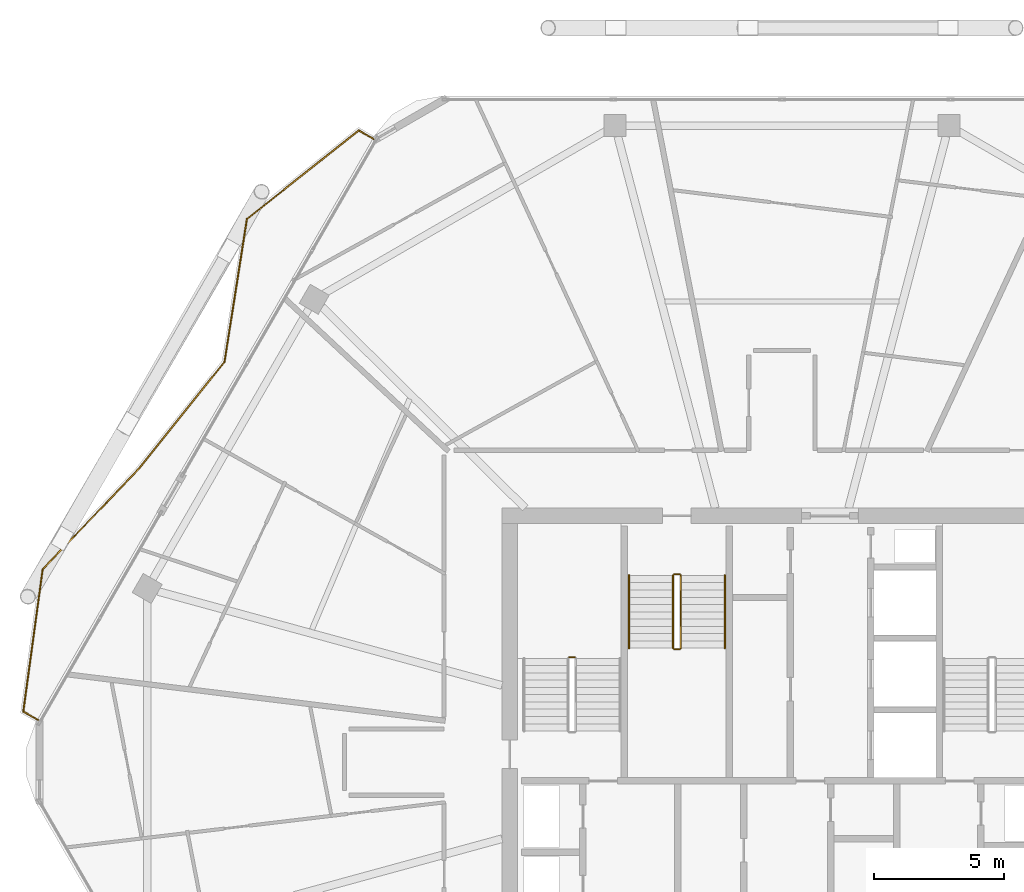
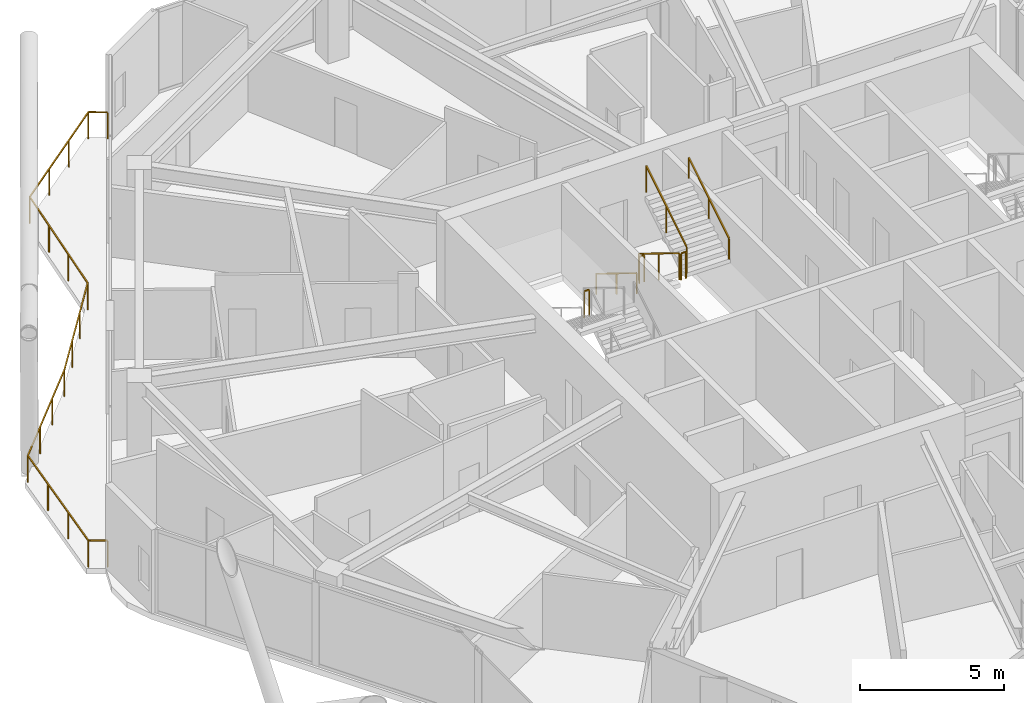
# One storey, part 28 of 29: 8 railings.
"""IFC4 building model written with IfcOpenShell, lengths in metres."""

import ifcopenshell
import ifcopenshell.guid

model = None  # the IFC model being written
_history = None  # IfcOwnerHistory: only IFC2X3 demands one
_inside = {}  # id of a spatial element -> (the spatial element, [elements in it])
_under = {}  # id of a project, library or spatial element -> (it, [spatial elements below it])
_declared = {}  # id of a project -> (the project, [libraries it declares])
_typed = {}  # id of a type object -> (the type object, [elements of that type])
_made_of = {}  # id of a material, layer set ... -> (it, [elements and type objects made of it])


def new_model(schema):
    """Start an empty IFC model of exactly this schema.

    Asked for "IFC4X3", IfcOpenShell would pick the latest addendum, in which some entities
    have other attributes; the version numbers below select the first issue.
    IFC2X3 requires an IfcOwnerHistory on every rooted entity: one is made here for all.
    """
    global model, _history
    if schema == "IFC4X3":
        model = ifcopenshell.file(schema_version=(4, 3, 0, 0))
    else:
        model = ifcopenshell.file(schema=schema)
    _inside.clear()
    _under.clear()
    _declared.clear()
    _typed.clear()
    _made_of.clear()
    _history = None
    if model.schema == "IFC2X3":
        org = make("IfcOrganization", Name="unknown")
        user = make(
            "IfcPersonAndOrganization",
            ThePerson=make("IfcPerson", FamilyName="unknown"),
            TheOrganization=org,
        )
        app = make(
            "IfcApplication",
            ApplicationDeveloper=org,
            Version="unknown",
            ApplicationFullName="unknown",
            ApplicationIdentifier="unknown",
        )
        _history = make(
            "IfcOwnerHistory",
            OwningUser=user,
            OwningApplication=app,
            ChangeAction="ADDED",
            CreationDate=0,
        )
    return model


def make(cls, **values):
    """One entity of the class cls with the attributes given. An attribute that is None is left unset."""
    return model.create_entity(
        cls, **{name: value for name, value in values.items() if value is not None}
    )


def rooted(cls, **values):
    """An entity with a GlobalId (a new one), such as an element, a storey or a relation."""
    return make(cls, GlobalId=ifcopenshell.guid.new(), OwnerHistory=_history, **values)


def si_unit(unit_type, name, prefix=None):
    """IfcSIUnit, for example si_unit("LENGTHUNIT", "METRE", prefix="MILLI")."""
    return make("IfcSIUnit", UnitType=unit_type, Prefix=prefix, Name=name)


def assignment(units):
    """IfcUnitAssignment: the units of a project."""
    return None if units is None else make("IfcUnitAssignment", Units=units)


def point(xyz):
    """IfcCartesianPoint."""
    return None if xyz is None else make("IfcCartesianPoint", Coordinates=xyz)


def direction(xyz):
    """IfcDirection."""
    return None if xyz is None else make("IfcDirection", DirectionRatios=xyz)


def frame(location, z_axis=None, x_axis=None):
    """IfcAxis2Placement3D, a coordinate frame: its origin and axes. An axis left out is left unset."""
    return make(
        "IfcAxis2Placement3D",
        Location=point(location),
        Axis=direction(z_axis),
        RefDirection=direction(x_axis),
    )


def frame_2d(location, x_axis=None):
    """IfcAxis2Placement2D, a coordinate frame in the plane: its origin and x axis."""
    return make(
        "IfcAxis2Placement2D", Location=point(location), RefDirection=direction(x_axis)
    )


def origin():
    """The frame at (0, 0, 0) with its axes left unset."""
    return frame((0.0, 0.0, 0.0))


def origin_2d():
    """The frame at (0, 0) in the plane with its x axis left unset."""
    return frame_2d((0.0, 0.0))


def place(relative_to, where):
    """IfcLocalPlacement: puts the frame where relative to a parent placement (None: the world)."""
    return make(
        "IfcLocalPlacement", PlacementRelTo=relative_to, RelativePlacement=where
    )


def context(
    kind, dimensions, precision=None, world=None, true_north=None, identifier=None
):
    """IfcGeometricRepresentationContext, for example the 3D "Model" context."""
    return make(
        "IfcGeometricRepresentationContext",
        ContextIdentifier=identifier,
        ContextType=kind,
        CoordinateSpaceDimension=dimensions,
        Precision=precision,
        WorldCoordinateSystem=world,
        TrueNorth=true_north,
    )


def subcontext(parent, identifier, kind, view, scale=None):
    """IfcGeometricRepresentationSubContext, for example "Body" below "Model"."""
    return make(
        "IfcGeometricRepresentationSubContext",
        ContextIdentifier=identifier,
        ContextType=kind,
        ParentContext=parent,
        TargetScale=scale,
        TargetView=view,
    )


def project(units=None, contexts=None):
    """IfcProject with its units and contexts."""
    return rooted(
        "IfcProject",
        Name="project",
        RepresentationContexts=contexts,
        UnitsInContext=assignment(units),
    )


def spatial(cls, under=None, at=None, **own):
    """A site, building, storey or space (cls), placed at a placement, below another one or the project."""
    s = rooted(cls, ObjectPlacement=at, **own)
    if under is not None:
        _under.setdefault(under.id(), (under, []))[1].append(s)
    return s


def profile(cls, at=None, kind="AREA", **sizes):
    """A parametric profile (cls). Its sizes go by their IFC names, for example OverallWidth=200.0."""
    return make(cls, ProfileType=kind, Position=at, **sizes)


def rectangle(**sizes):
    """IfcRectangleProfileDef."""
    return profile("IfcRectangleProfileDef", **sizes)


def extrude(swept, where, along, depth):
    """IfcExtrudedAreaSolid: the profile swept, set in the frame where, extruded along a direction by depth."""
    return make(
        "IfcExtrudedAreaSolid",
        SweptArea=swept,
        Position=where,
        ExtrudedDirection=direction(along),
        Depth=depth,
    )


def shape(context_of_items, identifier, shape_type, items):
    """IfcShapeRepresentation: the items that make up one representation, for example the "Body"."""
    return make(
        "IfcShapeRepresentation",
        ContextOfItems=context_of_items,
        RepresentationIdentifier=identifier,
        RepresentationType=shape_type,
        Items=items,
    )


def material(Name=None, Category=None):
    """IfcMaterial."""
    return make("IfcMaterial", Name=Name, Category=Category)


def made_of(thing, what):
    """Note that an element or type object is made of a material, layer set ...; save() writes the relation."""
    if what is not None:
        _made_of.setdefault(what.id(), (what, []))[1].append(thing)
    return thing


def type_object(cls, material=None, **own):
    """A type object (cls), such as IfcWallType, which elements share."""
    return made_of(rooted(cls, **own), material)


def element(
    cls,
    number,
    at=None,
    inside=None,
    cuts=None,
    type_object=None,
    material=None,
    context=None,
    identifier="Body",
    shape_type=None,
    held_by="IfcProductDefinitionShape",
    body=None,
    shapes=None,
    **own,
):
    """One element of the class cls, such as IfcWall. Its Tag is "e" and its number.

    at: its placement. inside: the storey or other place that contains it. cuts: it is an
    opening in that element (IfcRelVoidsElement). A single representation is given by context,
    identifier, shape_type and body (its items); several are given by shapes. held_by: the class
    of the entity that holds the representations. save() writes the other relations.
    """
    e = rooted(cls, Tag="e%d" % number, ObjectPlacement=at, **own)
    if body is not None:
        shapes = [shape(context, identifier, shape_type, body)]
    if shapes is not None:
        e.Representation = make(held_by, Representations=shapes)
    if inside is not None:
        _inside.setdefault(inside.id(), (inside, []))[1].append(e)
    if cuts is not None:
        rooted(
            "IfcRelVoidsElement", RelatingBuildingElement=cuts, RelatedOpeningElement=e
        )
    if type_object is not None:
        _typed.setdefault(type_object.id(), (type_object, []))[1].append(e)
    return made_of(e, material)


def aggregate(whole, parts):
    """IfcRelAggregates: a whole, such as a stair, and the parts it consists of."""
    return rooted("IfcRelAggregates", RelatingObject=whole, RelatedObjects=parts)


def save(model, path):
    """Write the relations noted so far, then the file.

    IfcRelAggregates (storeys below a building ...), IfcRelContainedInSpatialStructure (elements
    in a storey), IfcRelDefinesByType, IfcRelAssociatesMaterial and IfcRelDeclares: one each for
    every whole, place, type object, material and project.
    """
    for whole, parts in _under.values():
        aggregate(whole, parts)
    for where, things in _inside.values():
        rooted(
            "IfcRelContainedInSpatialStructure",
            RelatedElements=things,
            RelatingStructure=where,
        )
    for kind, things in _typed.values():
        rooted("IfcRelDefinesByType", RelatedObjects=things, RelatingType=kind)
    for what, things in _made_of.values():
        rooted("IfcRelAssociatesMaterial", RelatedObjects=things, RelatingMaterial=what)
    for by, libraries in _declared.values():
        rooted("IfcRelDeclares", RelatingContext=by, RelatedDefinitions=libraries)
    model.write(path)


model = new_model("IFC4")

# Units and contexts
model_context = context("Model", 3, precision=1e-05, world=origin(), true_north=direction((0.0, 1.0)))
body_context = subcontext(model_context, "Body", "Model", "MODEL_VIEW")
ifc_project = project(units=[si_unit("LENGTHUNIT", "METRE"), si_unit("AREAUNIT", "SQUARE_METRE"), si_unit("VOLUMEUNIT", "CUBIC_METRE"), si_unit("PLANEANGLEUNIT", "RADIAN"), si_unit("MASSUNIT", "GRAM", prefix="KILO")], contexts=[model_context])

# Site, building, storey
site_placement = place(None, origin())
site = spatial("IfcSite", under=ifc_project, at=site_placement, CompositionType="ELEMENT")
building_placement = place(site_placement, origin())
building = spatial("IfcBuilding", under=site, at=building_placement, Name="Zuhravey Tower", CompositionType="ELEMENT")
storey_placement = place(building_placement, frame((0.0, 0.0, 269.199951171875)))
storey = spatial("IfcBuildingStorey", under=building, at=storey_placement, Name="L68", CompositionType="ELEMENT", Elevation=269.199951171875)

# Railings
ifc_material_1 = material(Name="Stainless steel 316 and laminated glass", Category="steel")
railing_type_1 = type_object("IfcRailingType", Name="Balcony & Terrace Guardrail 1150", PredefinedType="BALUSTRADE", material=ifc_material_1)
railing_1_placement = place(storey_placement, frame((7.31689453125, 33.61669921875, 0.0)))
element("IfcRailing", 1, at=railing_1_placement, inside=storey, type_object=railing_type_1, Name="L68 Face 3 Wave Balcony Guardrail GR1", PredefinedType="BALUSTRADE", context=body_context, shape_type="SweptSolid", body=[
    extrude(rectangle(XDim=0.048095703125, YDim=0.048095703125, at=origin_2d()), frame((-0.001708984375, 0.0009765625, 1.1259765625), z_axis=(-0.866203709533, 0.499691038134, 0.0), x_axis=(-0.499691038134, -0.866203709533, 0.0)), (0.0, 0.0, 1.0), 0.668701171875),
    extrude(rectangle(XDim=0.048095703125, YDim=0.048095703125, at=origin_2d()), frame((-0.58251953125, 0.338134765625, 1.1259765625), z_axis=(0.135164370481, 0.990823189551, 0.0), x_axis=(-0.990823189551, 0.135164370481, 0.0)), (0.0, 0.0, 1.0), 5.5322265625),
    extrude(rectangle(XDim=0.048095703125, YDim=0.048095703125, at=origin_2d()), frame((0.1669921875, 5.822998046875, 1.1259765625), z_axis=(0.69118632528, 0.722676596927, 0.0), x_axis=(-0.722676596927, 0.69118632528, 0.0)), (0.0, 0.0, 1.0), 5.337646484375),
    extrude(rectangle(XDim=0.048095703125, YDim=0.048095703125, at=origin_2d()), frame((3.85888671875, 9.683349609375, 1.1259765625), z_axis=(0.6257711882, 0.780006679471, 0.0), x_axis=(-0.780006679471, 0.6257711882, 0.0)), (0.0, 0.0, 1.0), 5.30517578125),
    extrude(rectangle(XDim=0.048095703125, YDim=0.048095703125, at=origin_2d()), frame((7.18017578125, 13.824951171875, 1.1259765625), z_axis=(0.154930916788, 0.987925306399, 0.0), x_axis=(-0.987925306399, 0.154930916788, 0.0)), (0.0, 0.0, 1.0), 5.574462890625),
    extrude(rectangle(XDim=0.048095703125, YDim=0.048095703125, at=origin_2d()), frame((8.045654296875, 19.335205078125, 1.1259765625), z_axis=(0.783970273103, 0.620798365729, 0.0), x_axis=(-0.620798365729, 0.783970273103, 0.0)), (0.0, 0.0, 1.0), 5.50048828125),
    extrude(rectangle(XDim=0.048095703125, YDim=0.048095703125, at=origin_2d()), frame((12.361328125, 22.750244140625, 1.1259765625), z_axis=(0.865997973348, -0.5000475079, 0.0), x_axis=(0.5000475079, 0.865997973348, 0.0)), (0.0, 0.0, 1.0), 0.667724609375),
    extrude(rectangle(XDim=0.0419921875, YDim=0.0419921875, at=origin_2d()), origin(), (0.0, 0.0, 1.0), 1.099853515625),
    extrude(rectangle(XDim=0.0419921875, YDim=0.0419921875, at=origin_2d()), frame((-0.582763671875, 0.336181640625, 0.0)), (0.0, 0.0, 1.0), 1.099853515625),
    extrude(rectangle(XDim=0.0419921875, YDim=0.0419921875, at=origin_2d()), frame((-0.333251953125, 2.16455078125, 0.0)), (0.0, 0.0, 1.0), 1.099853515625),
    extrude(rectangle(XDim=0.0419921875, YDim=0.0419921875, at=origin_2d()), frame((-0.083984375, 3.9931640625, 0.0)), (0.0, 0.0, 1.0), 1.099853515625),
    extrude(rectangle(XDim=0.0419921875, YDim=0.0419921875, at=origin_2d()), frame((0.16552734375, 5.821533203125, 0.0)), (0.0, 0.0, 1.0), 1.099853515625),
    extrude(rectangle(XDim=0.0419921875, YDim=0.0419921875, at=origin_2d()), frame((1.396240234375, 7.1083984375, 0.0)), (0.0, 0.0, 1.0), 1.099853515625),
    extrude(rectangle(XDim=0.0419921875, YDim=0.0419921875, at=origin_2d()), frame((2.626953125, 8.39501953125, 0.0)), (0.0, 0.0, 1.0), 1.099853515625),
    extrude(rectangle(XDim=0.0419921875, YDim=0.0419921875, at=origin_2d()), frame((3.857666015625, 9.681884765625, 0.0)), (0.0, 0.0, 1.0), 1.099853515625),
    extrude(rectangle(XDim=0.0419921875, YDim=0.0419921875, at=origin_2d()), frame((4.965087890625, 11.062255859375, 0.0)), (0.0, 0.0, 1.0), 1.099853515625),
    extrude(rectangle(XDim=0.0419921875, YDim=0.0419921875, at=origin_2d()), frame((6.072509765625, 12.442626953125, 0.0)), (0.0, 0.0, 1.0), 1.099853515625),
    extrude(rectangle(XDim=0.0419921875, YDim=0.0419921875, at=origin_2d()), frame((7.179931640625, 13.822998046875, 0.0)), (0.0, 0.0, 1.0), 1.099853515625),
    extrude(rectangle(XDim=0.0419921875, YDim=0.0419921875, at=origin_2d()), frame((7.468017578125, 15.659912109375, 0.0)), (0.0, 0.0, 1.0), 1.099853515625),
    extrude(rectangle(XDim=0.0419921875, YDim=0.0419921875, at=origin_2d()), frame((7.756103515625, 17.4970703125, 0.0)), (0.0, 0.0, 1.0), 1.099853515625),
    extrude(rectangle(XDim=0.0419921875, YDim=0.0419921875, at=origin_2d()), frame((8.044189453125, 19.333984375, 0.0)), (0.0, 0.0, 1.0), 1.099853515625),
    extrude(rectangle(XDim=0.0419921875, YDim=0.0419921875, at=origin_2d()), frame((9.482666015625, 20.47314453125, 0.0)), (0.0, 0.0, 1.0), 1.099853515625),
    extrude(rectangle(XDim=0.0419921875, YDim=0.0419921875, at=origin_2d()), frame((10.921142578125, 21.612060546875, 0.0)), (0.0, 0.0, 1.0), 1.099853515625),
    extrude(rectangle(XDim=0.0419921875, YDim=0.0419921875, at=origin_2d()), frame((12.359619140625, 22.751220703125, 0.0)), (0.0, 0.0, 1.0), 1.099853515625),
    extrude(rectangle(XDim=0.0419921875, YDim=0.0419921875, at=origin_2d()), frame((12.94140625, 22.415283203125, 0.0)), (0.0, 0.0, 1.0), 1.099853515625),
])
ifc_material_2 = material(Name="Brushed stainless steel", Category="steel")
railing_type_2 = type_object("IfcRailingType", Name="Stair Wall Handrail 900", PredefinedType="HANDRAIL", material=ifc_material_2)
railing_2_placement = place(storey_placement, frame((30.10009765625, 39.199951171875, 0.1728515625)))
element("IfcRailing", 2, at=railing_2_placement, inside=storey, type_object=railing_type_2, Name="L68 ST3 stair handrail 1", PredefinedType="HANDRAIL", context=body_context, shape_type="SweptSolid", body=[
    extrude(rectangle(XDim=0.048095703125, YDim=0.048095703125, at=origin_2d()), frame((0.0, -0.001708984375, 0.876953125), z_axis=(0.0, -0.851089632645, 0.525020415988), x_axis=(1.0, 0.0, 0.0)), (0.0, 0.0, 1.0), 3.285888671875),
    extrude(rectangle(XDim=0.0419921875, YDim=0.0419921875, at=origin_2d()), origin(), (0.0, 0.0, 1.0), 0.849853515625),
    extrude(rectangle(XDim=0.0419921875, YDim=0.0419921875, at=origin_2d()), frame((0.0, -1.39990234375, 0.86376953125)), (0.0, 0.0, 1.0), 0.849853515625),
    extrude(rectangle(XDim=0.0419921875, YDim=0.0419921875, at=origin_2d()), frame((0.0, -2.800048828125, 1.727294921875)), (0.0, 0.0, 1.0), 0.849853515625),
])
railing_3_placement = place(storey_placement, frame((33.800048828125, 36.39990234375, 2.07275390625)))
element("IfcRailing", 3, at=railing_3_placement, inside=storey, type_object=railing_type_2, Name="L68 ST3 stair handrail 2", PredefinedType="HANDRAIL", context=body_context, shape_type="SweptSolid", body=[
    extrude(rectangle(XDim=0.048095703125, YDim=0.048095703125, at=origin_2d()), frame((0.0, 0.001708984375, 0.876953125), z_axis=(0.0, 0.851089632645, 0.525020415988), x_axis=(-1.0, 0.0, 0.0)), (0.0, 0.0, 1.0), 3.285888671875),
    extrude(rectangle(XDim=0.0419921875, YDim=0.0419921875, at=origin_2d()), origin(), (0.0, 0.0, 1.0), 0.849853515625),
    extrude(rectangle(XDim=0.0419921875, YDim=0.0419921875, at=origin_2d()), frame((0.0, 1.39990234375, 0.86376953125)), (0.0, 0.0, 1.0), 0.849853515625),
    extrude(rectangle(XDim=0.0419921875, YDim=0.0419921875, at=origin_2d()), frame((0.0, 2.800048828125, 1.727294921875)), (0.0, 0.0, 1.0), 0.849853515625),
])
ifc_material_3 = material(Name="Painted tubular steel", Category="steel")
railing_type_3 = type_object("IfcRailingType", Name="Stair Well Guardrail 1150", PredefinedType="GUARDRAIL", material=ifc_material_3)
railing_4_placement = place(storey_placement, frame((28.0, 36.050048828125, 1.900146484375)))
element("IfcRailing", 4, at=railing_4_placement, inside=storey, type_object=railing_type_3, Name="L68 ST1 stair guard 2", PredefinedType="GUARDRAIL", context=body_context, shape_type="SweptSolid", body=[
    extrude(rectangle(XDim=0.048095703125, YDim=0.048095703125, at=origin_2d()), frame((-0.001953125, 0.0, 1.1259765625), z_axis=(-1.0, 0.0, 0.0), x_axis=(0.0, -1.0, 0.0)), (0.0, 0.0, 1.0), 0.196044921875),
    extrude(rectangle(XDim=0.0419921875, YDim=0.0419921875, at=origin_2d()), origin(), (0.0, 0.0, 1.0), 1.099853515625),
    extrude(rectangle(XDim=0.0419921875, YDim=0.0419921875, at=origin_2d()), frame((-0.199951171875, 0.0, 0.0)), (0.0, 0.0, 1.0), 1.099853515625),
])
railing_5_placement = place(storey_placement, frame((31.800048828125, 39.199951171875, 0.1728515625)))
element("IfcRailing", 5, at=railing_5_placement, inside=storey, type_object=railing_type_3, Name="L68 ST3 stair guard 1", PredefinedType="GUARDRAIL", context=body_context, shape_type="SweptSolid", body=[
    extrude(rectangle(XDim=0.048095703125, YDim=0.048095703125, at=origin_2d()), frame((0.0, -0.001708984375, 1.126953125), z_axis=(0.0, -0.851089632645, 0.525020415988), x_axis=(1.0, 0.0, 0.0)), (0.0, 0.0, 1.0), 3.285888671875),
    extrude(rectangle(XDim=0.0419921875, YDim=0.0419921875, at=origin_2d()), origin(), (0.0, 0.0, 1.0), 1.099853515625),
    extrude(rectangle(XDim=0.0419921875, YDim=0.0419921875, at=origin_2d()), frame((0.0, -1.39990234375, 0.86376953125)), (0.0, 0.0, 1.0), 1.099853515625),
    extrude(rectangle(XDim=0.0419921875, YDim=0.0419921875, at=origin_2d()), frame((0.0, -2.800048828125, 1.727294921875)), (0.0, 0.0, 1.0), 1.099853515625),
])
railing_6_placement = place(storey_placement, frame((31.85009765625, 36.35009765625, 1.900146484375)))
element("IfcRailing", 6, at=railing_6_placement, inside=storey, type_object=railing_type_3, Name="L68 ST3 stair guard 2", PredefinedType="GUARDRAIL", context=body_context, shape_type="SweptSolid", body=[
    extrude(rectangle(XDim=0.048095703125, YDim=0.048095703125, at=origin_2d()), frame((0.001953125, 0.0, 1.1259765625), z_axis=(1.0, 0.0, 0.0), x_axis=(0.0, 1.0, 0.0)), (0.0, 0.0, 1.0), 0.196044921875),
    extrude(rectangle(XDim=0.0419921875, YDim=0.0419921875, at=origin_2d()), origin(), (0.0, 0.0, 1.0), 1.099853515625),
    extrude(rectangle(XDim=0.0419921875, YDim=0.0419921875, at=origin_2d()), frame((0.199951171875, 0.0, 0.0)), (0.0, 0.0, 1.0), 1.099853515625),
])
railing_7_placement = place(storey_placement, frame((32.10009765625, 36.39990234375, 2.07275390625)))
element("IfcRailing", 7, at=railing_7_placement, inside=storey, type_object=railing_type_3, Name="L68 ST3 stair guard 3", PredefinedType="GUARDRAIL", context=body_context, shape_type="SweptSolid", body=[
    extrude(rectangle(XDim=0.048095703125, YDim=0.048095703125, at=origin_2d()), frame((0.0, 0.001708984375, 1.126953125), z_axis=(0.0, 0.851089632645, 0.525020415988), x_axis=(-1.0, 0.0, 0.0)), (0.0, 0.0, 1.0), 3.285888671875),
    extrude(rectangle(XDim=0.0419921875, YDim=0.0419921875, at=origin_2d()), origin(), (0.0, 0.0, 1.0), 1.099853515625),
    extrude(rectangle(XDim=0.0419921875, YDim=0.0419921875, at=origin_2d()), frame((0.0, 1.39990234375, 0.86376953125)), (0.0, 0.0, 1.0), 1.099853515625),
    extrude(rectangle(XDim=0.0419921875, YDim=0.0419921875, at=origin_2d()), frame((0.0, 2.800048828125, 1.727294921875)), (0.0, 0.0, 1.0), 1.099853515625),
])
railing_8_placement = place(storey_placement, frame((31.85009765625, 39.25, 0.0)))
element("IfcRailing", 8, at=railing_8_placement, inside=storey, type_object=railing_type_3, Name="L68 ST3 stair guard 4", PredefinedType="GUARDRAIL", context=body_context, shape_type="SweptSolid", body=[
    extrude(rectangle(XDim=0.048095703125, YDim=0.048095703125, at=origin_2d()), frame((0.001953125, 0.0, 1.1259765625), z_axis=(1.0, 0.0, 0.0), x_axis=(0.0, 1.0, 0.0)), (0.0, 0.0, 1.0), 0.196044921875),
    extrude(rectangle(XDim=0.0419921875, YDim=0.0419921875, at=origin_2d()), origin(), (0.0, 0.0, 1.0), 1.099853515625),
    extrude(rectangle(XDim=0.0419921875, YDim=0.0419921875, at=origin_2d()), frame((0.199951171875, 0.0, 0.0)), (0.0, 0.0, 1.0), 1.099853515625),
])

save(model, "model.ifc")
